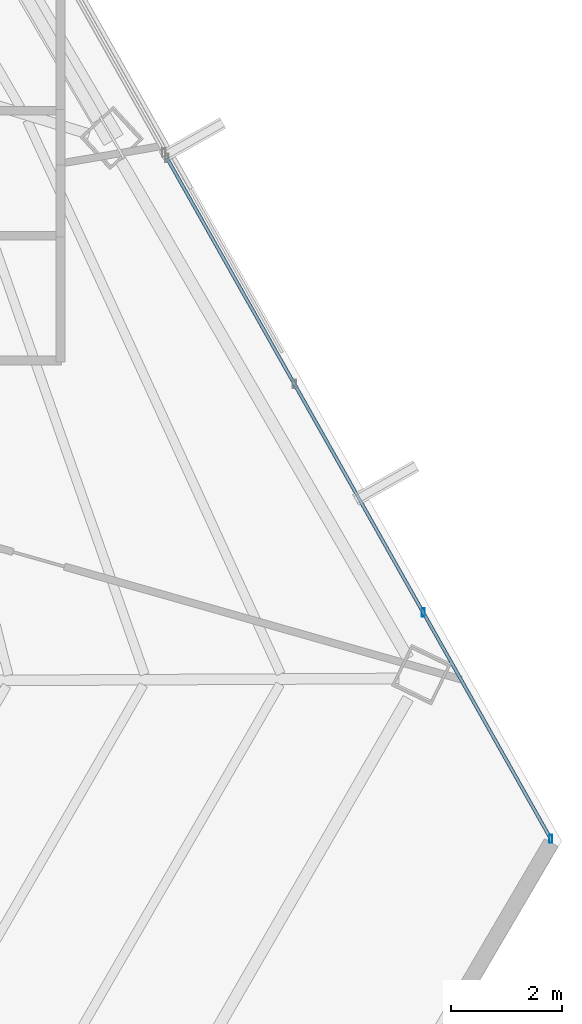
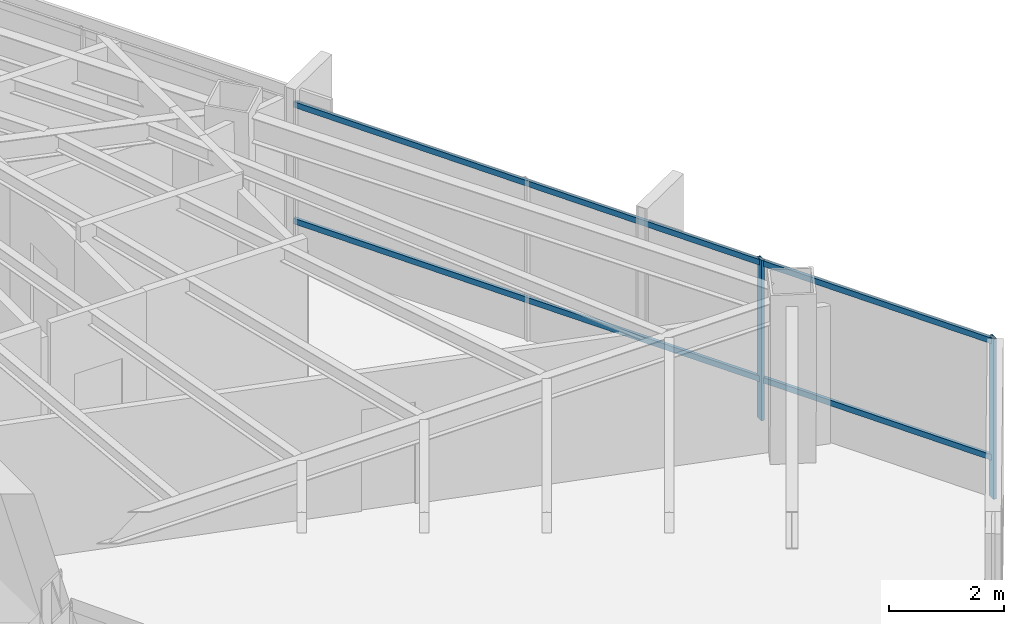
# One storey, part 22 of 42: 4 members, 1 element without a shape of its own.
"""IFC4 building model written with IfcOpenShell, lengths in metres."""

from ifc_helpers import new_model, si_unit, direction, frame, origin, origin_2d, place, context, subcontext, project, spatial, hollow_rectangle, extrude, source, transform, mapped, material, material_profile, profile_set, type_object, type_shapes, element, aggregate, save


model = new_model("IFC4")

# Units and contexts
model_context = context("Model", 3, precision=1e-05, world=origin(), true_north=direction((0.0, 1.0)))
body_context = subcontext(model_context, "Body", "Model", "MODEL_VIEW")
ifc_project = project(units=[si_unit("LENGTHUNIT", "METRE"), si_unit("AREAUNIT", "SQUARE_METRE"), si_unit("VOLUMEUNIT", "CUBIC_METRE"), si_unit("PLANEANGLEUNIT", "RADIAN"), si_unit("MASSUNIT", "GRAM", prefix="KILO")], contexts=[model_context])

# Site, building, storey
site_placement = place(None, origin())
site = spatial("IfcSite", under=ifc_project, at=site_placement, CompositionType="ELEMENT")
building_placement = place(site_placement, origin())
building = spatial("IfcBuilding", under=site, at=building_placement, Name="Caelisora Broadcast Tower", CompositionType="ELEMENT")
storey_placement = place(building_placement, frame((0.0, 0.0, 184.050048828125)))
storey = spatial("IfcBuildingStorey", under=building, at=storey_placement, Name="L48", CompositionType="ELEMENT", Elevation=184.050048828125)

# Curtain wall, members
ifc_material_1 = material(Name="Unitised Aluminium and Low-E Glass Curtain Wall", Category="glass")
curtain_wall_type = type_object("IfcCurtainWallType", Name="CW-Z4", PredefinedType="NOTDEFINED", material=ifc_material_1)
curtain_wall_placement = place(storey_placement, origin())
curtain_wall = element("IfcCurtainWall", 1, at=curtain_wall_placement, inside=storey, type_object=curtain_wall_type, Name="L48 curtain wall CW-Z4", PredefinedType="NOTDEFINED")
ifc_material_2 = material(Name="Aluminium 6063-T6 Anodised Terracotta Bronze", Category="aluminium")
ifc_material_profile_1 = material_profile(ifc_material_2, hollow_rectangle(XDim=0.06005859375, YDim=0.14990234375, WallThickness=0.00341796875, at=origin_2d()), Name="Aluminium 6063-T6 Anodised Terracotta Bronze")
ifc_profile_set_1 = profile_set([ifc_material_profile_1], Name="Aluminium 6063-T6 Anodised Terracotta Bronze")
member_type_1 = type_object("IfcMemberType", Name="CWM-03", PredefinedType="MULLION", material=ifc_profile_set_1)
shared_shape_1 = source(origin(), body_context, "Body", "SweptSolid", [
    extrude(hollow_rectangle(XDim=0.06005859375, YDim=0.14990234375, WallThickness=0.00341796875, at=origin_2d()), origin(), (0.0, 0.0, 1.0), 3.39990234375),
])
type_shapes(member_type_1, [shared_shape_1])
member_1_placement = place(storey_placement, frame((60.338623046875, 18.6591796875, 0.0), z_axis=(0.0, 0.0, 1.0), x_axis=(1.0, 0.0, 0.0)))
member_1 = element("IfcMember", 2, at=member_1_placement, type_object=member_type_1, Name="L48-CW-B03 mullion #2", PredefinedType="MULLION", context=body_context, shape_type="MappedRepresentation", body=[
    mapped(shared_shape_1, transform((0.0, 0.0, 0.0), scale=1.0)),
])
member_2_placement = place(storey_placement, frame((62.635498046875, 14.585693359375, 0.0), z_axis=(0.0, 0.0, 1.0), x_axis=(1.0, 0.0, 0.0)))
member_2 = element("IfcMember", 3, at=member_2_placement, type_object=member_type_1, Name="L48-CW-B03 mullion #3", PredefinedType="MULLION", context=body_context, shape_type="MappedRepresentation", body=[
    mapped(shared_shape_1, transform((0.0, 0.0, 0.0), scale=1.0)),
])
ifc_material_profile_2 = material_profile(ifc_material_2, hollow_rectangle(XDim=0.06005859375, YDim=0.1201171875, WallThickness=0.0029296875, at=origin_2d()), Name="Aluminium 6063-T6 Anodised Terracotta Bronze")
ifc_profile_set_2 = profile_set([ifc_material_profile_2], Name="Aluminium 6063-T6 Anodised Terracotta Bronze")
member_type_2 = type_object("IfcMemberType", Name="CWT-03", PredefinedType="USERDEFINED", material=ifc_profile_set_2)
shared_shape_2 = source(origin(), body_context, "Body", "SweptSolid", [
    extrude(hollow_rectangle(XDim=0.06005859375, YDim=0.1201171875, WallThickness=0.0029296875, at=origin_2d()), origin(), (0.0, 0.0, 1.0), 14.07958984375),
])
type_shapes(member_type_2, [shared_shape_2])
member_3_placement = place(storey_placement, frame((55.720703125, 26.850341796875, 0.849853515625), z_axis=(0.491120488389, -0.871091651828, 0.0), x_axis=(0.871091651828, 0.491120488389, 0.0)))
member_3 = element("IfcMember", 4, at=member_3_placement, type_object=member_type_2, Name="L48-CW-B03 transom #1", ObjectType="TRANSOM", PredefinedType="USERDEFINED", context=body_context, shape_type="MappedRepresentation", body=[
    mapped(shared_shape_2, transform((0.0, 0.0, 0.0), scale=1.0)),
])
member_4_placement = place(storey_placement, frame((55.720703125, 26.850341796875, 3.320068359375), z_axis=(0.491120488389, -0.871091651828, 0.0), x_axis=(0.871091651828, 0.491120488389, 0.0)))
member_4 = element("IfcMember", 5, at=member_4_placement, type_object=member_type_2, Name="L48-CW-B03 transom #2", ObjectType="TRANSOM", PredefinedType="USERDEFINED", context=body_context, shape_type="MappedRepresentation", body=[
    mapped(shared_shape_2, transform((0.0, 0.0, 0.0), scale=1.0)),
])
aggregate(curtain_wall, [member_1, member_2, member_3, member_4])

save(model, "model.ifc")
